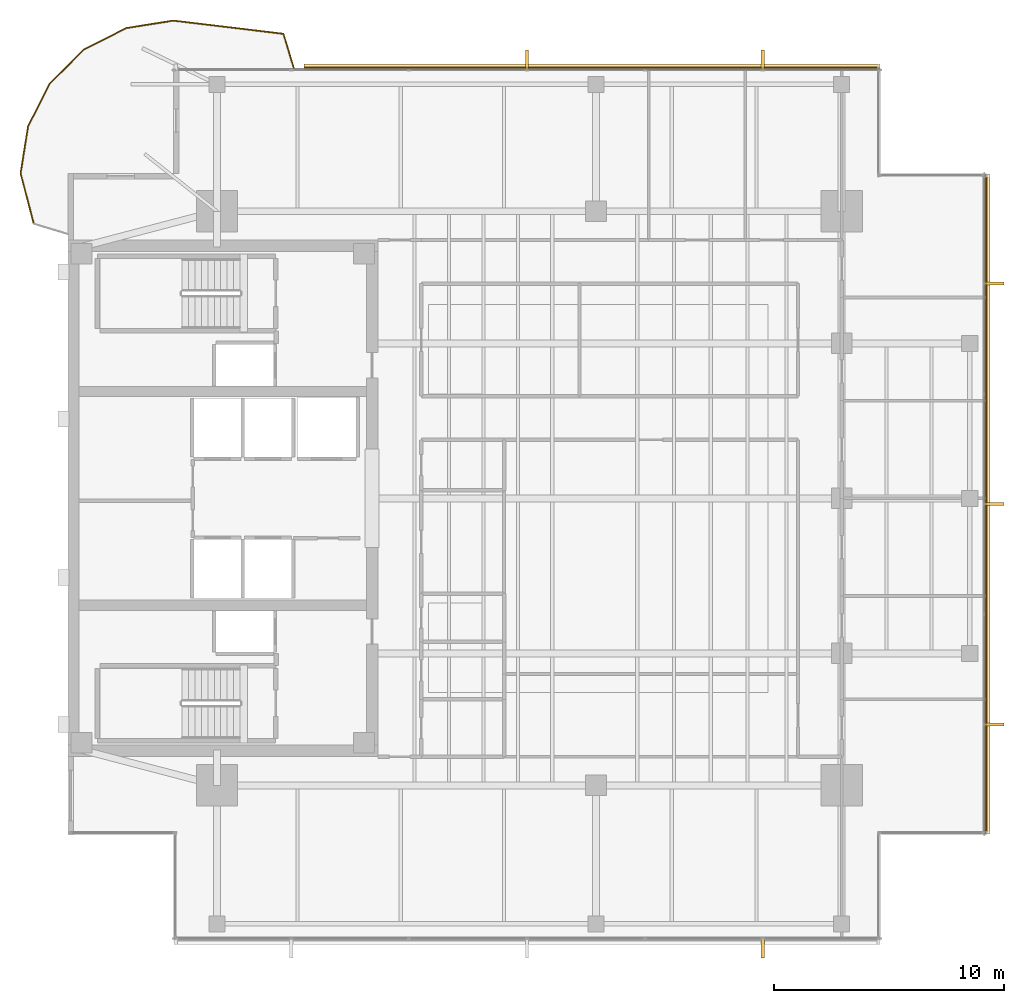
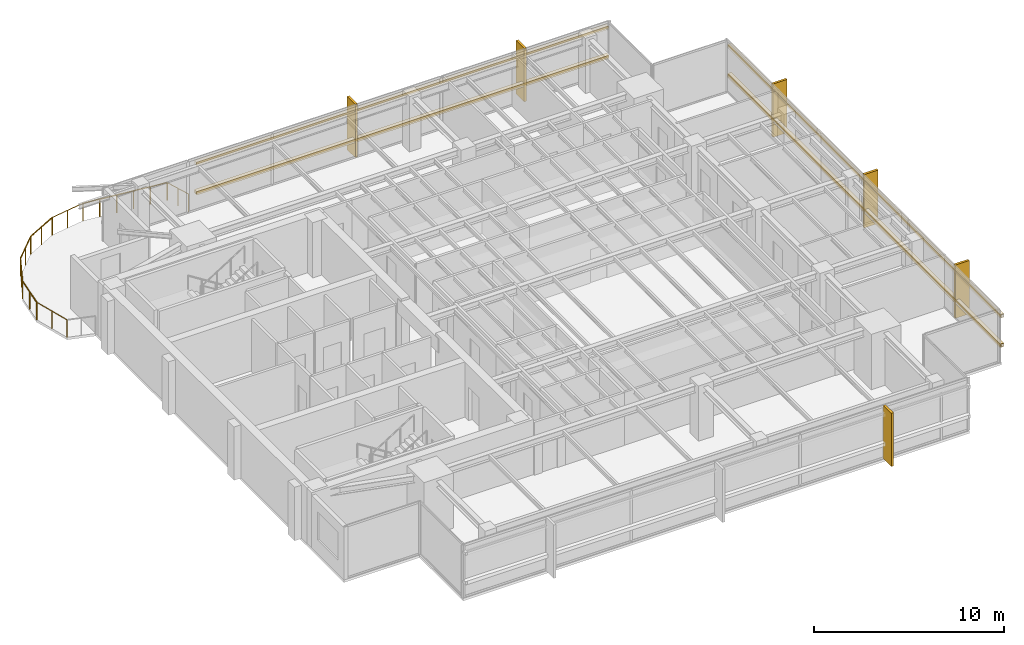
# One storey, part 14 of 14: 10 coverings, 8 railings, 4 shading devices.
"""IFC4 building model written with IfcOpenShell, lengths in metres."""

from ifc_helpers import new_model, si_unit, direction, frame, origin, origin_2d, place, context, subcontext, project, spatial, polyline, rectangle, circle, outline, extrude, material, layer, layer_set, material_profile, profile_set, type_object, element, save


model = new_model("IFC4")

# Units and contexts
model_context = context("Model", 3, precision=1e-05, world=origin(), true_north=direction((0.0, 1.0)))
body_context = subcontext(model_context, "Body", "Model", "MODEL_VIEW")
ifc_project = project(units=[si_unit("LENGTHUNIT", "METRE"), si_unit("AREAUNIT", "SQUARE_METRE"), si_unit("VOLUMEUNIT", "CUBIC_METRE"), si_unit("PLANEANGLEUNIT", "RADIAN"), si_unit("MASSUNIT", "GRAM", prefix="KILO")], contexts=[model_context])

# Site, building, storey
site_placement = place(None, origin())
site = spatial("IfcSite", under=ifc_project, at=site_placement, CompositionType="ELEMENT")
building_placement = place(site_placement, origin())
building = spatial("IfcBuilding", under=site, at=building_placement, Name="Kinhvarn Gate Tower", CompositionType="ELEMENT")
storey_placement = place(building_placement, frame((0.0, 0.0, 281.199951171875)))
storey = spatial("IfcBuildingStorey", under=building, at=storey_placement, Name="L75", CompositionType="ELEMENT", Elevation=281.199951171875)

# Coverings
ifc_material_1 = material(Name="Fired architectural terracotta", Category="masonry")
ifc_layer_1 = layer(ifc_material_1, 0.239990234375)
ifc_layer_set_1 = layer_set([ifc_layer_1], Name="Fired architectural terracotta")
covering_type_1 = type_object("IfcCoveringType", Name="COV-BAG-220", PredefinedType="CLADDING", material=ifc_layer_set_1)
covering_1_placement = place(storey_placement, frame((0.0, 0.0, 0.93994140625)))
element("IfcCovering", 1, at=covering_1_placement, inside=storey, type_object=covering_type_1, Name="Terracotta Horizontal Sunscreen Band TBG-220 (L75)", PredefinedType="CLADDING", context=body_context, shape_type="SweptSolid", body=[
    extrude(outline(polyline([(39.860107421875, 43.929931640625), (14.7919921875, 43.929931640625), (14.7919921875, 44.169921875), (39.860107421875, 44.169921875), (39.860107421875, 43.929931640625)])), origin(), (0.0, 0.0, 1.0), 0.22021484375),
])
covering_2_placement = place(storey_placement, frame((0.0, 0.0, 2.830078125)))
element("IfcCovering", 2, at=covering_2_placement, inside=storey, type_object=covering_type_1, Name="Terracotta Horizontal Sunscreen Band TBG-220 (L75)", PredefinedType="CLADDING", context=body_context, shape_type="SweptSolid", body=[
    extrude(outline(polyline([(39.860107421875, 43.929931640625), (14.7919921875, 43.929931640625), (14.7919921875, 44.169921875), (39.860107421875, 44.169921875), (39.860107421875, 43.929931640625)])), origin(), (0.0, 0.0, 1.0), 0.219970703125),
])
covering_3_placement = place(storey_placement, frame((0.0, 0.0, 0.93994140625)))
element("IfcCovering", 3, at=covering_3_placement, inside=storey, type_object=covering_type_1, Name="Terracotta Horizontal Sunscreen Band TBG-220 (L75)", PredefinedType="CLADDING", context=body_context, shape_type="SweptSolid", body=[
    extrude(outline(polyline([(44.429931640625, 10.639892578125), (44.429931640625, 39.360107421875), (44.669921875, 39.360107421875), (44.669921875, 10.639892578125), (44.429931640625, 10.639892578125)])), origin(), (0.0, 0.0, 1.0), 0.22021484375),
])
covering_4_placement = place(storey_placement, frame((0.0, 0.0, 2.830078125)))
element("IfcCovering", 4, at=covering_4_placement, inside=storey, type_object=covering_type_1, Name="Terracotta Horizontal Sunscreen Band TBG-220 (L75)", PredefinedType="CLADDING", context=body_context, shape_type="SweptSolid", body=[
    extrude(outline(polyline([(44.429931640625, 10.639892578125), (44.429931640625, 39.360107421875), (44.669921875, 39.360107421875), (44.669921875, 10.639892578125), (44.429931640625, 10.639892578125)])), origin(), (0.0, 0.0, 1.0), 0.219970703125),
])
ifc_layer_2 = layer(ifc_material_1, 0.139892578125)
ifc_layer_set_2 = layer_set([ifc_layer_2], Name="Fired architectural terracotta")
covering_type_2 = type_object("IfcCoveringType", Name="COV-FIN-850", PredefinedType="CLADDING", material=ifc_layer_set_2)
covering_5_placement = place(storey_placement, frame((0.0, 0.0, -0.02001953125)))
element("IfcCovering", 5, at=covering_5_placement, inside=storey, type_object=covering_type_2, Name="Vertical Terracotta Expressive Fin TFN-850 (L75)", PredefinedType="CLADDING", context=body_context, shape_type="SweptSolid", body=[
    extrude(outline(polyline([(34.69677734375, 6.080078125), (34.836669921875, 6.080078125), (34.836669921875, 5.22998046875), (34.69677734375, 5.22998046875), (34.69677734375, 6.080078125)])), origin(), (0.0, 0.0, 1.0), 3.43017578125),
])
covering_6_placement = place(storey_placement, frame((0.0, 0.0, -0.02001953125)))
element("IfcCovering", 6, at=covering_6_placement, inside=storey, type_object=covering_type_2, Name="Vertical Terracotta Expressive Fin TFN-850 (L75)", PredefinedType="CLADDING", context=body_context, shape_type="SweptSolid", body=[
    extrude(outline(polyline([(34.836669921875, 43.919921875), (34.69677734375, 43.919921875), (34.69677734375, 44.77001953125), (34.836669921875, 44.77001953125), (34.836669921875, 43.919921875)])), origin(), (0.0, 0.0, 1.0), 3.43017578125),
])
covering_7_placement = place(storey_placement, frame((0.0, 0.0, -0.02001953125)))
element("IfcCovering", 7, at=covering_7_placement, inside=storey, type_object=covering_type_2, Name="Vertical Terracotta Expressive Fin TFN-850 (L75)", PredefinedType="CLADDING", context=body_context, shape_type="SweptSolid", body=[
    extrude(outline(polyline([(24.570068359375, 43.919921875), (24.429931640625, 43.919921875), (24.429931640625, 44.77001953125), (24.570068359375, 44.77001953125), (24.570068359375, 43.919921875)])), origin(), (0.0, 0.0, 1.0), 3.43017578125),
])
covering_8_placement = place(storey_placement, frame((0.0, 0.0, -0.02001953125)))
element("IfcCovering", 8, at=covering_8_placement, inside=storey, type_object=covering_type_2, Name="Vertical Terracotta Expressive Fin TFN-850 (L75)", PredefinedType="CLADDING", context=body_context, shape_type="SweptSolid", body=[
    extrude(outline(polyline([(44.419921875, 15.330078125), (44.419921875, 15.469970703125), (45.27001953125, 15.469970703125), (45.27001953125, 15.330078125), (44.419921875, 15.330078125)])), origin(), (0.0, 0.0, 1.0), 3.43017578125),
])
covering_9_placement = place(storey_placement, frame((0.0, 0.0, -0.02001953125)))
element("IfcCovering", 9, at=covering_9_placement, inside=storey, type_object=covering_type_2, Name="Vertical Terracotta Expressive Fin TFN-850 (L75)", PredefinedType="CLADDING", context=body_context, shape_type="SweptSolid", body=[
    extrude(outline(polyline([(44.419921875, 24.929931640625), (44.419921875, 25.070068359375), (45.27001953125, 25.070068359375), (45.27001953125, 24.929931640625), (44.419921875, 24.929931640625)])), origin(), (0.0, 0.0, 1.0), 3.43017578125),
])
covering_10_placement = place(storey_placement, frame((0.0, 0.0, -0.02001953125)))
element("IfcCovering", 10, at=covering_10_placement, inside=storey, type_object=covering_type_2, Name="Vertical Terracotta Expressive Fin TFN-850 (L75)", PredefinedType="CLADDING", context=body_context, shape_type="SweptSolid", body=[
    extrude(outline(polyline([(44.419921875, 34.530029296875), (44.419921875, 34.669921875), (45.27001953125, 34.669921875), (45.27001953125, 34.530029296875), (44.419921875, 34.530029296875)])), origin(), (0.0, 0.0, 1.0), 3.43017578125),
])

# Railings
ifc_material_2 = material(Name="Clear low-e double glazing", Category="glass")
railing_type = type_object("IfcRailingType", Name="RL-BAL-1150", PredefinedType="BALUSTRADE", material=ifc_material_2)
railing_1_placement = place(storey_placement, frame((14.342041015625, 44.0, 0.0)))
element("IfcRailing", 11, at=railing_1_placement, inside=storey, type_object=railing_type, Name="S-Carve Balcony Guardrail Seg 1 (L75)", PredefinedType="BALUSTRADE", context=body_context, shape_type="SweptSolid", body=[
    extrude(circle(Radius=0.02392578125, at=origin_2d()), frame((0.0, 0.0, 1.1259765625), z_axis=(-0.290835067553, 0.956773203785, 0.0), x_axis=(-0.956773203785, -0.290835067553, 0.0)), (0.0, 0.0, 1.0), 1.547119140625),
    extrude(circle(Radius=0.02099609375, at=origin_2d()), origin(), (0.0, 0.0, 1.0), 1.101806640625),
    extrude(circle(Radius=0.02099609375, at=origin_2d()), frame((-0.22509765625, 0.740234375, 0.0)), (0.0, 0.0, 1.0), 1.101806640625),
    extrude(circle(Radius=0.02099609375, at=origin_2d()), frame((-0.449951171875, 1.480224609375, 0.0)), (0.0, 0.0, 1.0), 1.101806640625),
])
railing_2_placement = place(storey_placement, frame((13.89208984375, 45.480224609375, 0.0)))
element("IfcRailing", 12, at=railing_2_placement, inside=storey, type_object=railing_type, Name="S-Carve Balcony Guardrail Seg 2 (L75)", PredefinedType="BALUSTRADE", context=body_context, shape_type="SweptSolid", body=[
    extrude(circle(Radius=0.02392578125, at=origin_2d()), frame((0.0, 0.0, 1.1259765625), z_axis=(-0.99286103226, 0.1192768654, 0.0), x_axis=(-0.1192768654, -0.99286103226, 0.0)), (0.0, 0.0, 1.0), 4.826416015625),
    extrude(circle(Radius=0.02099609375, at=origin_2d()), origin(), (0.0, 0.0, 1.0), 1.101806640625),
    extrude(circle(Radius=0.02099609375, at=origin_2d()), frame((-0.95849609375, 0.115234375, 0.0)), (0.0, 0.0, 1.0), 1.101806640625),
    extrude(circle(Radius=0.02099609375, at=origin_2d()), frame((-1.916748046875, 0.230224609375, 0.0)), (0.0, 0.0, 1.0), 1.101806640625),
    extrude(circle(Radius=0.02099609375, at=origin_2d()), frame((-2.875244140625, 0.345458984375, 0.0)), (0.0, 0.0, 1.0), 1.101806640625),
    extrude(circle(Radius=0.02099609375, at=origin_2d()), frame((-3.83349609375, 0.46044921875, 0.0)), (0.0, 0.0, 1.0), 1.101806640625),
    extrude(circle(Radius=0.02099609375, at=origin_2d()), frame((-4.7919921875, 0.57568359375, 0.0)), (0.0, 0.0, 1.0), 1.101806640625),
])
railing_3_placement = place(storey_placement, frame((9.10009765625, 46.055908203125, 0.0)))
element("IfcRailing", 13, at=railing_3_placement, inside=storey, type_object=railing_type, Name="S-Carve Balcony Guardrail Seg 3 (L75)", PredefinedType="BALUSTRADE", context=body_context, shape_type="SweptSolid", body=[
    extrude(circle(Radius=0.02392578125, at=origin_2d()), frame((0.0, 0.0, 1.1259765625), z_axis=(-0.987695384161, -0.156389987237, 0.0), x_axis=(0.156389987237, -0.987695384161, 0.0)), (0.0, 0.0, 1.0), 2.08251953125),
    extrude(circle(Radius=0.02099609375, at=origin_2d()), origin(), (0.0, 0.0, 1.0), 1.101806640625),
    extrude(circle(Radius=0.02099609375, at=origin_2d()), frame((-1.0283203125, -0.162841796875, 0.0)), (0.0, 0.0, 1.0), 1.101806640625),
    extrude(circle(Radius=0.02099609375, at=origin_2d()), frame((-2.056884765625, -0.32568359375, 0.0)), (0.0, 0.0, 1.0), 1.101806640625),
])
railing_4_placement = place(storey_placement, frame((7.043212890625, 45.730224609375, 0.0)))
element("IfcRailing", 14, at=railing_4_placement, inside=storey, type_object=railing_type, Name="S-Carve Balcony Guardrail Seg 4 (L75)", PredefinedType="BALUSTRADE", context=body_context, shape_type="SweptSolid", body=[
    extrude(circle(Radius=0.02392578125, at=origin_2d()), frame((0.0, 0.0, 1.1259765625), z_axis=(-0.891025181055, -0.453953881717, 0.0), x_axis=(0.453953881717, -0.891025181055, 0.0)), (0.0, 0.0, 1.0), 2.08251953125),
    extrude(circle(Radius=0.02099609375, at=origin_2d()), origin(), (0.0, 0.0, 1.0), 1.101806640625),
    extrude(circle(Radius=0.02099609375, at=origin_2d()), frame((-0.927734375, -0.47265625, 0.0)), (0.0, 0.0, 1.0), 1.101806640625),
    extrude(circle(Radius=0.02099609375, at=origin_2d()), frame((-1.85546875, -0.9453125, 0.0)), (0.0, 0.0, 1.0), 1.101806640625),
])
railing_5_placement = place(storey_placement, frame((5.187744140625, 44.784912109375, 0.0)))
element("IfcRailing", 15, at=railing_5_placement, inside=storey, type_object=railing_type, Name="S-Carve Balcony Guardrail Seg 5 (L75)", PredefinedType="BALUSTRADE", context=body_context, shape_type="SweptSolid", body=[
    extrude(circle(Radius=0.02392578125, at=origin_2d()), frame((0.0, 0.0, 1.1259765625), z_axis=(-0.707106781187, -0.707106781187, 0.0), x_axis=(0.707106781187, -0.707106781187, 0.0)), (0.0, 0.0, 1.0), 2.082763671875),
    extrude(circle(Radius=0.02099609375, at=origin_2d()), origin(), (0.0, 0.0, 1.0), 1.101806640625),
    extrude(circle(Radius=0.02099609375, at=origin_2d()), frame((-0.736328125, -0.736328125, 0.0)), (0.0, 0.0, 1.0), 1.101806640625),
    extrude(circle(Radius=0.02099609375, at=origin_2d()), frame((-1.47265625, -1.47265625, 0.0)), (0.0, 0.0, 1.0), 1.101806640625),
])
railing_6_placement = place(storey_placement, frame((3.715087890625, 43.312255859375, 0.0)))
element("IfcRailing", 16, at=railing_6_placement, inside=storey, type_object=railing_type, Name="S-Carve Balcony Guardrail Seg 6 (L75)", PredefinedType="BALUSTRADE", context=body_context, shape_type="SweptSolid", body=[
    extrude(circle(Radius=0.02392578125, at=origin_2d()), frame((0.0, 0.0, 1.1259765625), z_axis=(-0.453953881717, -0.891025181055, 0.0), x_axis=(0.891025181055, -0.453953881717, 0.0)), (0.0, 0.0, 1.0), 2.08251953125),
    extrude(circle(Radius=0.02099609375, at=origin_2d()), origin(), (0.0, 0.0, 1.0), 1.101806640625),
    extrude(circle(Radius=0.02099609375, at=origin_2d()), frame((-0.47265625, -0.927734375, 0.0)), (0.0, 0.0, 1.0), 1.101806640625),
    extrude(circle(Radius=0.02099609375, at=origin_2d()), frame((-0.9453125, -1.85546875, 0.0)), (0.0, 0.0, 1.0), 1.101806640625),
])
railing_7_placement = place(storey_placement, frame((2.769775390625, 41.456787109375, 0.0)))
element("IfcRailing", 17, at=railing_7_placement, inside=storey, type_object=railing_type, Name="S-Carve Balcony Guardrail Seg 7 (L75)", PredefinedType="BALUSTRADE", context=body_context, shape_type="SweptSolid", body=[
    extrude(circle(Radius=0.02392578125, at=origin_2d()), frame((0.0, 0.0, 1.1259765625), z_axis=(-0.156389987237, -0.987695384161, 0.0), x_axis=(0.987695384161, -0.156389987237, 0.0)), (0.0, 0.0, 1.0), 2.08251953125),
    extrude(circle(Radius=0.02099609375, at=origin_2d()), origin(), (0.0, 0.0, 1.0), 1.101806640625),
    extrude(circle(Radius=0.02099609375, at=origin_2d()), frame((-0.162841796875, -1.0283203125, 0.0)), (0.0, 0.0, 1.0), 1.101806640625),
    extrude(circle(Radius=0.02099609375, at=origin_2d()), frame((-0.32568359375, -2.056884765625, 0.0)), (0.0, 0.0, 1.0), 1.101806640625),
])
railing_8_placement = place(storey_placement, frame((2.444091796875, 39.39990234375, 0.0)))
element("IfcRailing", 18, at=railing_8_placement, inside=storey, type_object=railing_type, Name="S-Carve Balcony Guardrail Seg 8 (L75)", PredefinedType="BALUSTRADE", context=body_context, shape_type="SweptSolid", body=[
    extrude(circle(Radius=0.02392578125, at=origin_2d()), frame((0.0, 0.0, 1.1259765625), z_axis=(0.25336657415, -0.96737034227, 0.0), x_axis=(0.96737034227, 0.25336657415, 0.0)), (0.0, 0.0, 1.0), 2.272216796875),
    extrude(circle(Radius=0.02099609375, at=origin_2d()), origin(), (0.0, 0.0, 1.0), 1.101806640625),
    extrude(circle(Radius=0.02099609375, at=origin_2d()), frame((0.287841796875, -1.09912109375, 0.0)), (0.0, 0.0, 1.0), 1.101806640625),
    extrude(circle(Radius=0.02099609375, at=origin_2d()), frame((0.57568359375, -2.197998046875, 0.0)), (0.0, 0.0, 1.0), 1.101806640625),
])

# Shading devices
ifc_material_profile = material_profile(ifc_material_1, rectangle(XDim=0.050048828125, YDim=0.1201171875, at=origin_2d()), Name="TC 50x120")
ifc_profile_set = profile_set([ifc_material_profile], Name="Fired architectural terracotta")
shading_device_type = type_object("IfcShadingDeviceType", Name="SHD-BAG-140", PredefinedType="USERDEFINED", material=ifc_profile_set)
for number, where, z_axis, x_axis, name in (
    (19, (39.860107421875, 44.0, 1.050048828125), (-1.0, 0.0, 0.0), (0.0, -1.0, 0.0), "Upper Tower Terracotta Baguette Screen Rod 50x120 mm (L75)"),
    (20, (39.860107421875, 44.0, 2.93994140625), (-1.0, 0.0, 0.0), (0.0, -1.0, 0.0), "Upper Tower Terracotta Baguette Screen Rod 50x120 mm (L75)"),
):
    element("IfcShadingDevice", number, at=place(storey_placement, frame(where, z_axis=z_axis, x_axis=x_axis)), inside=storey, type_object=shading_device_type, Name=name, ObjectType="BAGUETTE", PredefinedType="USERDEFINED", context=body_context, shape_type="SweptSolid", body=[
        extrude(rectangle(XDim=0.050048828125, YDim=0.1201171875, at=origin_2d()), origin(), (0.0, 0.0, 1.0), 25.068115234375),
    ])
for number, where, z_axis, x_axis, name in (
    (21, (44.5, 10.639892578125, 1.050048828125), (0.0, 1.0, 0.0), (-1.0, 0.0, 0.0), "Upper Tower Terracotta Baguette Screen Rod 50x120 mm (L75)"),
    (22, (44.5, 10.639892578125, 2.93994140625), (0.0, 1.0, 0.0), (-1.0, 0.0, 0.0), "Upper Tower Terracotta Baguette Screen Rod 50x120 mm (L75)"),
):
    element("IfcShadingDevice", number, at=place(storey_placement, frame(where, z_axis=z_axis, x_axis=x_axis)), inside=storey, type_object=shading_device_type, Name=name, ObjectType="BAGUETTE", PredefinedType="USERDEFINED", context=body_context, shape_type="SweptSolid", body=[
        extrude(rectangle(XDim=0.050048828125, YDim=0.1201171875, at=origin_2d()), origin(), (0.0, 0.0, 1.0), 28.72021484375),
    ])

save(model, "model.ifc")
